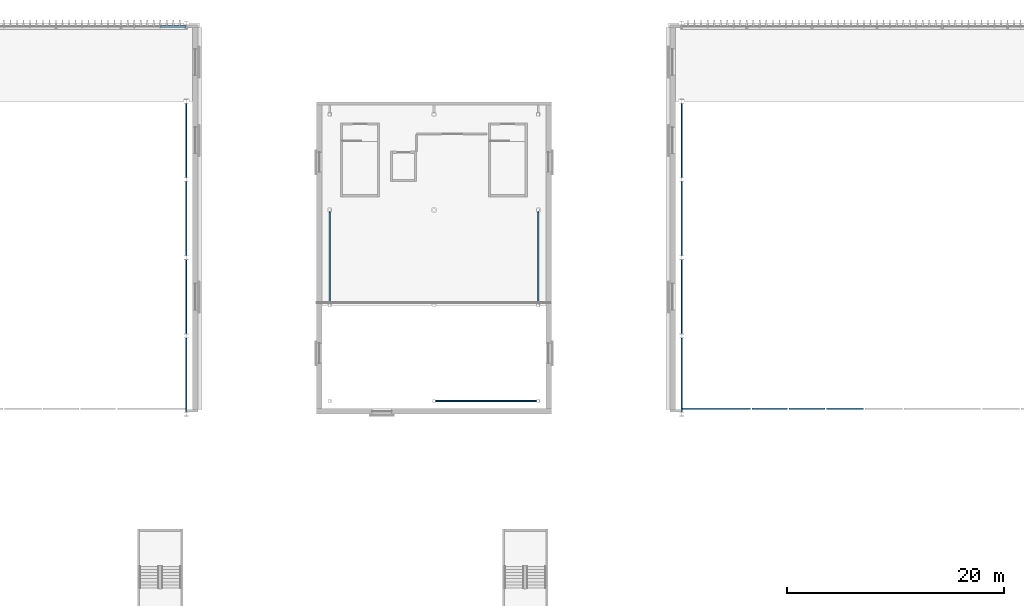
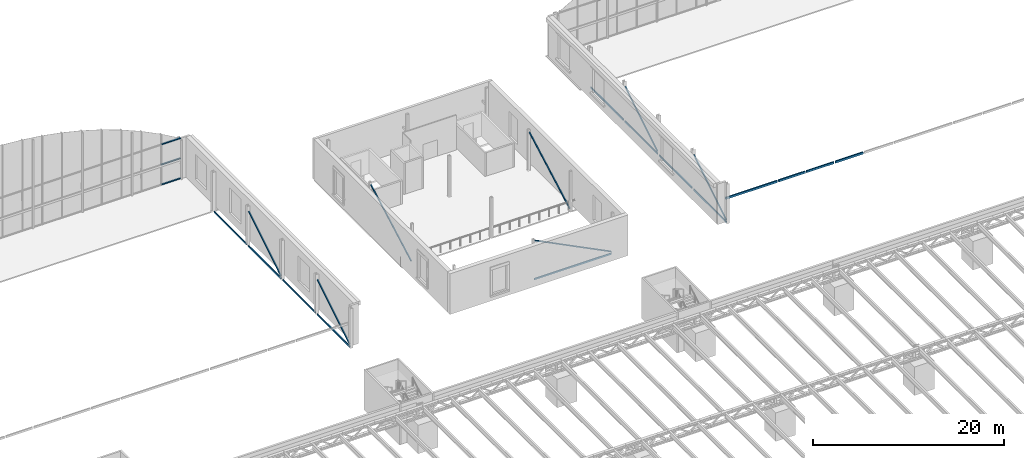
# One storey, part 30 of 93: 13 beams, 10 members, 1 element without a shape of its own.
"""IFC4 building model written with IfcOpenShell, lengths in metres."""

from ifc_helpers import new_model, si_unit, direction, frame, origin, origin_2d, place, context, subcontext, project, spatial, rectangle, hollow_rectangle, extrude, material, layer, layer_set, material_profile, profile_set, type_object, element, aggregate, save


model = new_model("IFC4")

# Units and contexts
model_context = context("Model", 3, precision=1e-05, world=origin(), true_north=direction((0.0, 1.0)))
body_context = subcontext(model_context, "Body", "Model", "MODEL_VIEW")
ifc_project = project(units=[si_unit("LENGTHUNIT", "METRE"), si_unit("AREAUNIT", "SQUARE_METRE"), si_unit("VOLUMEUNIT", "CUBIC_METRE"), si_unit("PLANEANGLEUNIT", "RADIAN"), si_unit("MASSUNIT", "GRAM", prefix="KILO")], contexts=[model_context])

# Site, building, storey
site_placement = place(None, origin())
site = spatial("IfcSite", under=ifc_project, at=site_placement, CompositionType="ELEMENT")
building_placement = place(site_placement, origin())
building = spatial("IfcBuilding", under=site, at=building_placement, Name="Verrick Yard Athletic Hall", CompositionType="ELEMENT")
storey_placement = place(building_placement, frame((0.0, 0.0, 8.800048828125)))
storey = spatial("IfcBuildingStorey", under=building, at=storey_placement, Name="L02", CompositionType="ELEMENT", Elevation=8.800048828125)

# Curtain wall, members
ifc_material_1 = material(Name="Anodised aluminium", Category="aluminium")
ifc_layer = layer(ifc_material_1, 0.199951171875)
ifc_layer_set = layer_set([ifc_layer], Name="Gable glazing")
curtain_wall_type = type_object("IfcCurtainWallType", Name="Gable glazing", PredefinedType="NOTDEFINED", material=ifc_layer_set)
curtain_wall_placement = place(storey_placement, origin())
curtain_wall = element("IfcCurtainWall", 1, at=curtain_wall_placement, inside=storey, type_object=curtain_wall_type, Name="Gable curtain wall BN", PredefinedType="NOTDEFINED")
ifc_material_profile_1 = material_profile(ifc_material_1, rectangle(XDim=0.199951171875, YDim=0.1201171875, at=origin_2d()), Name="CW gable transom 200x120")
ifc_profile_set_1 = profile_set([ifc_material_profile_1], Name="Anodised aluminium")
member_type_1 = type_object("IfcMemberType", Name="Gable glazing transom 200x120", PredefinedType="USERDEFINED", material=ifc_profile_set_1)
member_1_placement = place(storey_placement, frame((73.6298828125, 107.681640625, 0.06005859375), z_axis=(1.0, 0.0, 0.0), x_axis=(0.0, 1.0, 0.0)))
member_1 = element("IfcMember", 2, at=member_1_placement, type_object=member_type_1, Name="ENVB-HBN-CW/T19-00", ObjectType="TRANSOM", PredefinedType="USERDEFINED", context=body_context, shape_type="SweptSolid", body=[
    extrude(rectangle(XDim=0.199951171875, YDim=0.1201171875, at=origin_2d()), origin(), (0.0, 0.0, 1.0), 2.340087890625),
])
member_2_placement = place(storey_placement, frame((73.6298828125, 107.681640625, 2.599853515625), z_axis=(1.0, 0.0, 0.0), x_axis=(0.0, 1.0, 0.0)))
member_2 = element("IfcMember", 3, at=member_2_placement, type_object=member_type_1, Name="ENVB-HBN-CW/T19-01", ObjectType="TRANSOM", PredefinedType="USERDEFINED", context=body_context, shape_type="SweptSolid", body=[
    extrude(rectangle(XDim=0.199951171875, YDim=0.1201171875, at=origin_2d()), origin(), (0.0, 0.0, 1.0), 2.340087890625),
])
member_3_placement = place(storey_placement, frame((73.6298828125, 107.681640625, 5.199951171875), z_axis=(1.0, 0.0, 0.0), x_axis=(0.0, 1.0, 0.0)))
member_3 = element("IfcMember", 4, at=member_3_placement, type_object=member_type_1, Name="ENVB-HBN-CW/T19-02", ObjectType="TRANSOM", PredefinedType="USERDEFINED", context=body_context, shape_type="SweptSolid", body=[
    extrude(rectangle(XDim=0.199951171875, YDim=0.1201171875, at=origin_2d()), origin(), (0.0, 0.0, 1.0), 2.340087890625),
])
aggregate(curtain_wall, [member_1, member_2, member_3])

# Beams
ifc_material_2 = material(Name="Structural steel HSS Class C 350W (CSA G40.20/G40.21)", Category="steel")
ifc_material_profile_2 = material_profile(ifc_material_2, hollow_rectangle(XDim=0.1015625, YDim=0.203125, WallThickness=0.009521484375, at=origin_2d()), Name="HSS203x102x9.5")
ifc_profile_set_2 = profile_set([ifc_material_profile_2], Name="Structural steel HSS Class C 350W (CSA G40.20/G40.21)")
beam_type_1 = type_object("IfcBeamType", Name="HB eaves girt HSS203x102x9.5", PredefinedType="BEAM", material=ifc_profile_set_2)
for number, where, z_axis, x_axis, name in (
    (5, (121.60009765625, 72.177978515625, 0.0), (0.0, 1.0, 0.0), (-1.0, 0.0, 0.0), "HB-GT-AW-1-L02"),
    (6, (121.60009765625, 79.3779296875, 0.0), (0.0, 1.0, 0.0), (-1.0, 0.0, 0.0), "HB-GT-AW-2-L02"),
):
    element("IfcBeam", number, at=place(storey_placement, frame(where, z_axis=z_axis, x_axis=x_axis)), inside=storey, type_object=beam_type_1, Name=name, PredefinedType="BEAM", context=body_context, shape_type="SweptSolid", body=[
        extrude(hollow_rectangle(XDim=0.1015625, YDim=0.203125, WallThickness=0.009521484375, at=origin_2d()), origin(), (0.0, 0.0, 1.0), 6.843994140625),
    ])
beam_1_placement = place(storey_placement, frame((121.60009765625, 86.577880859375, 0.0), z_axis=(0.0, 1.0, 0.0), x_axis=(-1.0, 0.0, 0.0)))
element("IfcBeam", 7, at=beam_1_placement, inside=storey, type_object=beam_type_1, Name="HB-GT-AW-3-L02", PredefinedType="BEAM", context=body_context, shape_type="SweptSolid", body=[
    extrude(hollow_rectangle(XDim=0.1015625, YDim=0.203125, WallThickness=0.009521484375, at=origin_2d()), origin(), (0.0, 0.0, 1.0), 6.84423828125),
])
for number, where, z_axis, x_axis, name in (
    (8, (121.60009765625, 93.778076171875, 0.0), (0.0, 1.0, 0.0), (-1.0, 0.0, 0.0), "HB-GT-AW-4-L02"),
    (9, (76.0, 72.177978515625, 0.0), (0.0, 1.0, 0.0), (-1.0, 0.0, 0.0), "HB-GT-BE-1-L02"),
    (10, (76.0, 79.3779296875, 0.0), (0.0, 1.0, 0.0), (-1.0, 0.0, 0.0), "HB-GT-BE-2-L02"),
):
    element("IfcBeam", number, at=place(storey_placement, frame(where, z_axis=z_axis, x_axis=x_axis)), inside=storey, type_object=beam_type_1, Name=name, PredefinedType="BEAM", context=body_context, shape_type="SweptSolid", body=[
        extrude(hollow_rectangle(XDim=0.1015625, YDim=0.203125, WallThickness=0.009521484375, at=origin_2d()), origin(), (0.0, 0.0, 1.0), 6.843994140625),
    ])
beam_2_placement = place(storey_placement, frame((76.0, 86.577880859375, 0.0), z_axis=(0.0, 1.0, 0.0), x_axis=(-1.0, 0.0, 0.0)))
element("IfcBeam", 11, at=beam_2_placement, inside=storey, type_object=beam_type_1, Name="HB-GT-BE-3-L02", PredefinedType="BEAM", context=body_context, shape_type="SweptSolid", body=[
    extrude(hollow_rectangle(XDim=0.1015625, YDim=0.203125, WallThickness=0.009521484375, at=origin_2d()), origin(), (0.0, 0.0, 1.0), 6.84423828125),
])
beam_3_placement = place(storey_placement, frame((76.0, 93.778076171875, 0.0), z_axis=(0.0, 1.0, 0.0), x_axis=(-1.0, 0.0, 0.0)))
element("IfcBeam", 12, at=beam_3_placement, inside=storey, type_object=beam_type_1, Name="HB-GT-BE-4-L02", PredefinedType="BEAM", context=body_context, shape_type="SweptSolid", body=[
    extrude(hollow_rectangle(XDim=0.1015625, YDim=0.203125, WallThickness=0.009521484375, at=origin_2d()), origin(), (0.0, 0.0, 1.0), 6.843994140625),
])
beam_4_placement = place(storey_placement, frame((98.927001953125, 73.199951171875, 0.0), z_axis=(1.0, 0.0, 0.0), x_axis=(0.0, 1.0, 0.0)))
element("IfcBeam", 13, at=beam_4_placement, inside=storey, type_object=beam_type_1, Name="HB-GT-CS-L02", PredefinedType="BEAM", context=body_context, shape_type="SweptSolid", body=[
    extrude(hollow_rectangle(XDim=0.1015625, YDim=0.203125, WallThickness=0.009521484375, at=origin_2d()), origin(), (0.0, 0.0, 1.0), 9.345947265625),
])

# Members
ifc_material_profile_3 = material_profile(ifc_material_2, hollow_rectangle(XDim=0.126953125, YDim=0.126953125, WallThickness=0.009521484375, at=origin_2d()), Name="HSS127x127x9.5")
ifc_profile_set_3 = profile_set([ifc_material_profile_3], Name="Structural steel HSS Class C 350W (CSA G40.20/G40.21)")
member_type_2 = type_object("IfcMemberType", Name="HB wall brace HSS127x127x9.5", PredefinedType="BRACE", material=ifc_profile_set_3)
member_4_placement = place(storey_placement, frame((121.60009765625, 72.21142578125, 0.272216796875), z_axis=(0.0, 0.850212270843, 0.526440019858), x_axis=(-1.0, 0.0, 0.0)))
element("IfcMember", 14, at=member_4_placement, inside=storey, type_object=member_type_2, Name="HB-BRW-AW-1-L02", PredefinedType="BRACE", context=body_context, shape_type="SweptSolid", body=[
    extrude(hollow_rectangle(XDim=0.126953125, YDim=0.126953125, WallThickness=0.009521484375, at=origin_2d()), origin(), (0.0, 0.0, 1.0), 7.970947265625),
])
member_5_placement = place(storey_placement, frame((121.60009765625, 86.611328125, 0.272216796875), z_axis=(0.0, 0.850220758823, 0.526426311335), x_axis=(-1.0, 0.0, 0.0)))
element("IfcMember", 15, at=member_5_placement, inside=storey, type_object=member_type_2, Name="HB-BRW-AW-3-L02", PredefinedType="BRACE", context=body_context, shape_type="SweptSolid", body=[
    extrude(hollow_rectangle(XDim=0.126953125, YDim=0.126953125, WallThickness=0.009521484375, at=origin_2d()), origin(), (0.0, 0.0, 1.0), 7.97119140625),
])
member_6_placement = place(storey_placement, frame((76.0, 72.21142578125, 0.272216796875), z_axis=(0.0, 0.850212270843, 0.526440019858), x_axis=(-1.0, 0.0, 0.0)))
element("IfcMember", 16, at=member_6_placement, inside=storey, type_object=member_type_2, Name="HB-BRW-BE-1-L02", PredefinedType="BRACE", context=body_context, shape_type="SweptSolid", body=[
    extrude(hollow_rectangle(XDim=0.126953125, YDim=0.126953125, WallThickness=0.009521484375, at=origin_2d()), origin(), (0.0, 0.0, 1.0), 7.970947265625),
])
member_7_placement = place(storey_placement, frame((76.0, 86.611328125, 0.272216796875), z_axis=(0.0, 0.850220758823, 0.526426311335), x_axis=(-1.0, 0.0, 0.0)))
element("IfcMember", 17, at=member_7_placement, inside=storey, type_object=member_type_2, Name="HB-BRW-BE-3-L02", PredefinedType="BRACE", context=body_context, shape_type="SweptSolid", body=[
    extrude(hollow_rectangle(XDim=0.126953125, YDim=0.126953125, WallThickness=0.009521484375, at=origin_2d()), origin(), (0.0, 0.0, 1.0), 7.97119140625),
])
for number, where, z_axis, x_axis, name in (
    (18, (89.199951171875, 82.157470703125, 0.268310546875), (0.0, 0.876361744633, 0.481653498424), (-1.0, 0.0, 0.0), "HB-BRW-CW-L02"),
    (19, (108.39990234375, 82.157470703125, 0.268310546875), (0.0, 0.876361744633, 0.481653498424), (-1.0, 0.0, 0.0), "HB-BRW-CE-L02"),
):
    element("IfcMember", number, at=place(storey_placement, frame(where, z_axis=z_axis, x_axis=x_axis)), inside=storey, type_object=member_type_2, Name=name, PredefinedType="BRACE", context=body_context, shape_type="SweptSolid", body=[
        extrude(hollow_rectangle(XDim=0.126953125, YDim=0.126953125, WallThickness=0.009521484375, at=origin_2d()), origin(), (0.0, 0.0, 1.0), 9.681884765625),
    ])
member_8_placement = place(storey_placement, frame((98.95556640625, 73.199951171875, 4.93408203125), z_axis=(0.893509425242, 0.0, -0.449044437671), x_axis=(0.0, 1.0, 0.0)))
element("IfcMember", 20, at=member_8_placement, inside=storey, type_object=member_type_2, Name="HB-BRW-CS-L02", PredefinedType="BRACE", context=body_context, shape_type="SweptSolid", body=[
    extrude(hollow_rectangle(XDim=0.126953125, YDim=0.126953125, WallThickness=0.009521484375, at=origin_2d()), origin(), (0.0, 0.0, 1.0), 10.39599609375),
])

# Beams
ifc_material_profile_4 = material_profile(ifc_material_2, hollow_rectangle(XDim=0.15234375, YDim=0.25390625, WallThickness=0.009521484375, at=origin_2d()), Name="HSS254x152x9.5")
ifc_profile_set_4 = profile_set([ifc_material_profile_4], Name="Structural steel HSS Class C 350W (CSA G40.20/G40.21)")
beam_type_2 = type_object("IfcBeamType", Name="HB wind girder HSS254x152x9.5", PredefinedType="BEAM", material=ifc_profile_set_4)
beam_5_placement = place(storey_placement, frame((121.67626953125, 72.49462890625, 2.800048828125), z_axis=(1.0, 0.0, 0.0), x_axis=(0.0, 1.0, 0.0)))
element("IfcBeam", 21, at=beam_5_placement, inside=storey, type_object=beam_type_2, Name="HB-WG-AS-116-1", PredefinedType="BEAM", context=body_context, shape_type="SweptSolid", body=[
    extrude(hollow_rectangle(XDim=0.15234375, YDim=0.25390625, WallThickness=0.009521484375, at=origin_2d()), origin(), (0.0, 0.0, 1.0), 6.271240234375),
])
beam_6_placement = place(storey_placement, frame((128.099853515625, 72.49462890625, 2.800048828125), z_axis=(1.0, 0.0, 0.0), x_axis=(0.0, 1.0, 0.0)))
element("IfcBeam", 22, at=beam_6_placement, inside=storey, type_object=beam_type_2, Name="HB-WG-AS-116-2", PredefinedType="BEAM", context=body_context, shape_type="SweptSolid", body=[
    extrude(hollow_rectangle(XDim=0.15234375, YDim=0.25390625, WallThickness=0.009521484375, at=origin_2d()), origin(), (0.0, 0.0, 1.0), 3.2314453125),
])
beam_7_placement = place(storey_placement, frame((131.483642578125, 72.49462890625, 2.800048828125), z_axis=(1.0, 0.0, 0.0), x_axis=(0.0, 1.0, 0.0)))
element("IfcBeam", 23, at=beam_7_placement, inside=storey, type_object=beam_type_2, Name="HB-WG-AS-116-3", PredefinedType="BEAM", context=body_context, shape_type="SweptSolid", body=[
    extrude(hollow_rectangle(XDim=0.15234375, YDim=0.25390625, WallThickness=0.009521484375, at=origin_2d()), origin(), (0.0, 0.0, 1.0), 3.31884765625),
])
beam_8_placement = place(storey_placement, frame((134.954833984375, 72.49462890625, 2.800048828125), z_axis=(1.0, 0.0, 0.0), x_axis=(0.0, 1.0, 0.0)))
element("IfcBeam", 24, at=beam_8_placement, inside=storey, type_object=beam_type_2, Name="HB-WG-AS-116-4", PredefinedType="BEAM", context=body_context, shape_type="SweptSolid", body=[
    extrude(hollow_rectangle(XDim=0.15234375, YDim=0.25390625, WallThickness=0.009521484375, at=origin_2d()), origin(), (0.0, 0.0, 1.0), 3.384521484375),
])

save(model, "model.ifc")
